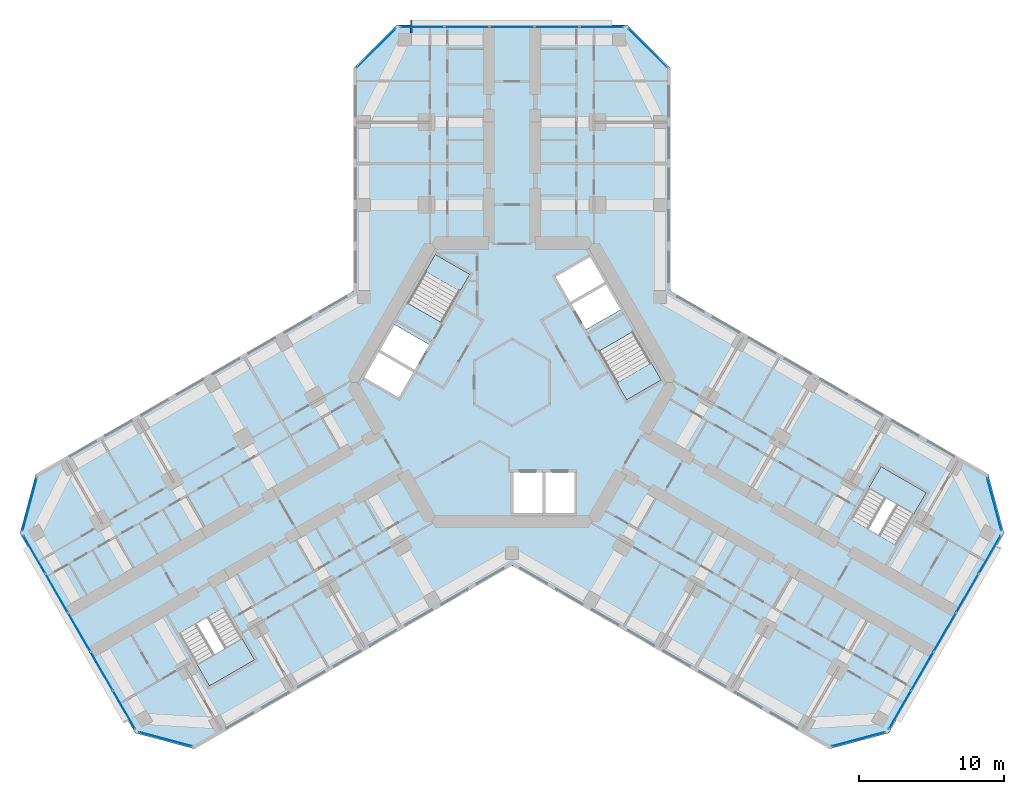
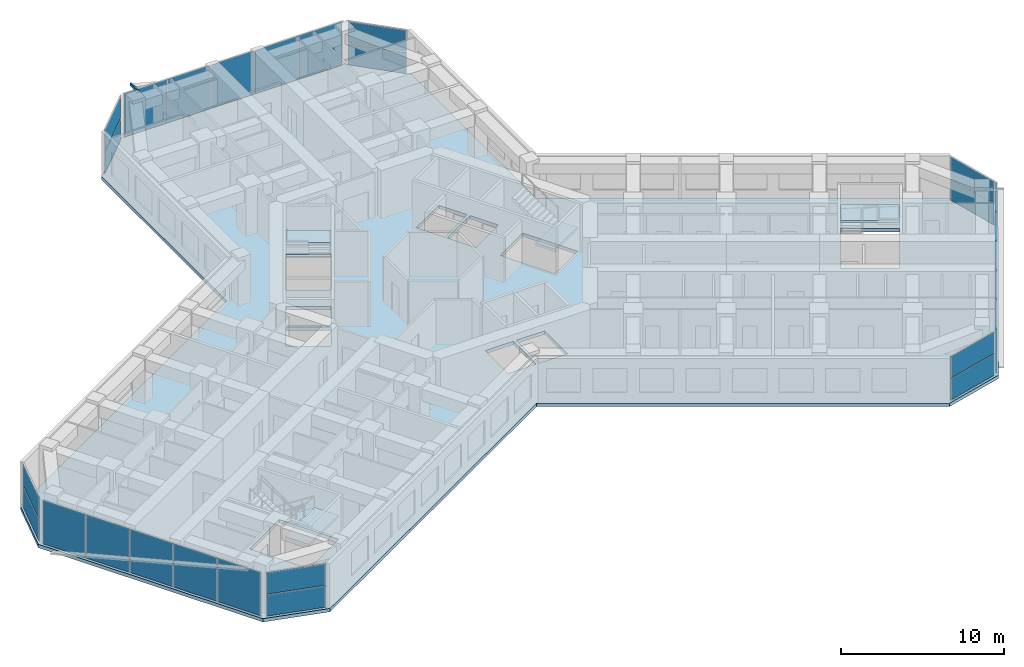
# One storey, part 9 of 19: 27 plates, 5 slabs, 1 member, 13 elements without a shape of their own.
"""IFC4 building model written with IfcOpenShell, lengths in metres."""

from ifc_helpers import new_model, si_unit, direction, frame, origin, origin_2d, place, context, subcontext, project, spatial, polyline, rectangle, hollow_rectangle, outline, extrude, material, layer, layer_set, material_profile, profile_set, type_object, element, aggregate, save


model = new_model("IFC4")

# Units and contexts
model_context = context("Model", 3, precision=1e-05, world=origin(), true_north=direction((0.0, 1.0)))
body_context = subcontext(model_context, "Body", "Model", "MODEL_VIEW")
ifc_project = project(units=[si_unit("LENGTHUNIT", "METRE"), si_unit("AREAUNIT", "SQUARE_METRE"), si_unit("VOLUMEUNIT", "CUBIC_METRE"), si_unit("PLANEANGLEUNIT", "RADIAN"), si_unit("MASSUNIT", "GRAM", prefix="KILO")], contexts=[model_context])

# Site, building, storey
site_placement = place(None, origin())
site = spatial("IfcSite", under=ifc_project, at=site_placement, CompositionType="ELEMENT")
building_placement = place(site_placement, origin())
building = spatial("IfcBuilding", under=site, at=building_placement, Name="Kosmar Iwan School Tower", CompositionType="ELEMENT")
storey_placement = place(building_placement, frame((0.0, 0.0, 168.800048828125)))
storey = spatial("IfcBuildingStorey", under=building, at=storey_placement, Name="L42", CompositionType="ELEMENT", Elevation=168.800048828125)

# Member
ifc_material_1 = material(Name="Steel S355", Category="steel")
ifc_material_profile = material_profile(ifc_material_1, hollow_rectangle(XDim=0.10009765625, YDim=0.199951171875, WallThickness=0.008056640625, at=origin_2d()), Name="RHS 200x100x8")
ifc_profile_set = profile_set([ifc_material_profile], Name="Steel S355")
member_type = type_object("IfcMemberType", Name="Fin bracket RHS 200x100", PredefinedType="USERDEFINED", material=ifc_profile_set)
member_placement = place(storey_placement, frame((-6.949951171875, 24.10009765625, 3.474853515625), z_axis=(0.0, 1.0, 0.0), x_axis=(-1.0, 0.0, 0.0)))
element("IfcMember", 1, at=member_placement, inside=storey, type_object=member_type, Name="Fin bracket L43", ObjectType="FIN BRACKET", PredefinedType="USERDEFINED", context=body_context, shape_type="SweptSolid", body=[
    extrude(hollow_rectangle(XDim=0.10009765625, YDim=0.199951171875, WallThickness=0.008056640625, at=origin_2d()), origin(), (0.0, 0.0, 1.0), 0.89990234375),
])

# Curtain wall, plates
ifc_material_2 = material(Name="Dark glass in black aluminium frame", Category="aluminium")
curtain_wall_type_1 = type_object("IfcCurtainWallType", Name="Chamfer curtain wall dark glass", PredefinedType="USERDEFINED", material=ifc_material_2)
curtain_wall_1_placement = place(storey_placement, origin())
curtain_wall_1 = element("IfcCurtainWall", 2, at=curtain_wall_1_placement, inside=storey, type_object=curtain_wall_type_1, Name="Curtain wall L42-F02", ObjectType="FACETED CURTAIN WALL", PredefinedType="USERDEFINED")
ifc_material_3 = material(Name="Dark glass", Category="glass")
ifc_layer_1 = layer(ifc_material_3, 0.028076171875)
ifc_layer_set_1 = layer_set([ifc_layer_1], Name="Dark glass panel 28")
plate_type = type_object("IfcPlateType", Name="Dark glass panel 28", PredefinedType="CURTAIN_PANEL", material=ifc_layer_set_1)
plate_1_placement = place(storey_placement, frame((23.908203125, -24.61328125, 0.06005859375), z_axis=(0.0, 0.0, 1.0), x_axis=(0.965925875495, 0.258818861462, 0.0)))
plate_1 = element("IfcPlate", 3, at=plate_1_placement, type_object=plate_type, Name="CW2 panel 1.1", PredefinedType="CURTAIN_PANEL", context=body_context, shape_type="SweptSolid", body=[
    extrude(rectangle(XDim=3.718994140625, YDim=0.028076171875, at=origin_2d()), origin(), (0.0, 0.0, 1.0), 1.5849609375),
])
plate_2_placement = place(storey_placement, frame((23.908203125, -24.61328125, 1.705078125), z_axis=(0.0, 0.0, 1.0), x_axis=(0.965925875495, 0.258818861462, 0.0)))
plate_2 = element("IfcPlate", 4, at=plate_2_placement, type_object=plate_type, Name="CW2 panel 1.2", PredefinedType="CURTAIN_PANEL", context=body_context, shape_type="SweptSolid", body=[
    extrude(rectangle(XDim=3.718994140625, YDim=0.028076171875, at=origin_2d()), origin(), (0.0, 0.0, 1.0), 1.5849609375),
])
aggregate(curtain_wall_1, [plate_1, plate_2])

ifc_material_4 = material(Name="Dark glass in black aluminium frame", Category="aluminium")
curtain_wall_type_2 = type_object("IfcCurtainWallType", Name="Tower curtain wall dark glass", PredefinedType="USERDEFINED", material=ifc_material_4)
curtain_wall_2_placement = place(storey_placement, origin())
curtain_wall_2 = element("IfcCurtainWall", 5, at=curtain_wall_2_placement, inside=storey, type_object=curtain_wall_type_2, Name="Curtain wall L42-F03", ObjectType="UNITISED CURTAIN WALL", PredefinedType="USERDEFINED")
plate_3_placement = place(storey_placement, frame((26.764404296875, -22.592529296875, 0.06005859375), z_axis=(0.0, 0.0, 1.0), x_axis=(0.499999997325, 0.866025405329, 0.0)))
plate_3 = element("IfcPlate", 6, at=plate_3_placement, type_object=plate_type, Name="CW1 panel 1.1", PredefinedType="CURTAIN_PANEL", context=body_context, shape_type="SweptSolid", body=[
    extrude(rectangle(XDim=3.00927734375, YDim=0.028076171875, at=origin_2d()), origin(), (0.0, 0.0, 1.0), 3.22998046875),
])
plate_4_placement = place(storey_placement, frame((28.306640625, -19.921630859375, 0.06005859375), z_axis=(0.0, 0.0, 1.0), x_axis=(0.499999997325, 0.866025405329, 0.0)))
plate_4 = element("IfcPlate", 7, at=plate_4_placement, type_object=plate_type, Name="CW1 panel 2.1", PredefinedType="CURTAIN_PANEL", context=body_context, shape_type="SweptSolid", body=[
    extrude(rectangle(XDim=3.039306640625, YDim=0.028076171875, at=origin_2d()), origin(), (0.0, 0.0, 1.0), 3.22998046875),
])
plate_5_placement = place(storey_placement, frame((29.856201171875, -17.237548828125, 0.06005859375), z_axis=(0.0, 0.0, 1.0), x_axis=(0.499999997325, 0.866025405329, 0.0)))
plate_5 = element("IfcPlate", 8, at=plate_5_placement, type_object=plate_type, Name="CW1 panel 3.1", PredefinedType="CURTAIN_PANEL", context=body_context, shape_type="SweptSolid", body=[
    extrude(rectangle(XDim=3.039306640625, YDim=0.028076171875, at=origin_2d()), origin(), (0.0, 0.0, 1.0), 3.22998046875),
])
plate_6_placement = place(storey_placement, frame((31.40576171875, -14.553466796875, 0.06005859375), z_axis=(0.0, 0.0, 1.0), x_axis=(0.499999997325, 0.866025405329, 0.0)))
plate_6 = element("IfcPlate", 9, at=plate_6_placement, type_object=plate_type, Name="CW1 panel 4.1", PredefinedType="CURTAIN_PANEL", context=body_context, shape_type="SweptSolid", body=[
    extrude(rectangle(XDim=3.039306640625, YDim=0.028076171875, at=origin_2d()), origin(), (0.0, 0.0, 1.0), 3.22998046875),
])
plate_7_placement = place(storey_placement, frame((32.947998046875, -11.88232421875, 0.06005859375), z_axis=(0.0, 0.0, 1.0), x_axis=(0.499999997325, 0.866025405329, 0.0)))
plate_7 = element("IfcPlate", 10, at=plate_7_placement, type_object=plate_type, Name="CW1 panel 5.1", PredefinedType="CURTAIN_PANEL", context=body_context, shape_type="SweptSolid", body=[
    extrude(rectangle(XDim=3.00927734375, YDim=0.028076171875, at=origin_2d()), origin(), (0.0, 0.0, 1.0), 3.22998046875),
])
aggregate(curtain_wall_2, [plate_3, plate_4, plate_5, plate_6, plate_7])

curtain_wall_3_placement = place(storey_placement, origin())
curtain_wall_3 = element("IfcCurtainWall", 11, at=curtain_wall_3_placement, inside=storey, type_object=curtain_wall_type_1, Name="Curtain wall L42-F04", ObjectType="FACETED CURTAIN WALL", PredefinedType="USERDEFINED")
plate_8_placement = place(storey_placement, frame((33.269775390625, -8.3984375, 0.06005859375), z_axis=(0.0, 0.0, 1.0), x_axis=(-0.258818861462, 0.965925875495, 0.0)))
plate_8 = element("IfcPlate", 12, at=plate_8_placement, type_object=plate_type, Name="CW2 panel 1.1", PredefinedType="CURTAIN_PANEL", context=body_context, shape_type="SweptSolid", body=[
    extrude(rectangle(XDim=3.718994140625, YDim=0.028076171875, at=origin_2d()), origin(), (0.0, 0.0, 1.0), 1.5849609375),
])
plate_9_placement = place(storey_placement, frame((33.269775390625, -8.3984375, 1.705078125), z_axis=(0.0, 0.0, 1.0), x_axis=(-0.258818861462, 0.965925875495, 0.0)))
plate_9 = element("IfcPlate", 13, at=plate_9_placement, type_object=plate_type, Name="CW2 panel 1.2", PredefinedType="CURTAIN_PANEL", context=body_context, shape_type="SweptSolid", body=[
    extrude(rectangle(XDim=3.718994140625, YDim=0.028076171875, at=origin_2d()), origin(), (0.0, 0.0, 1.0), 1.5849609375),
])
aggregate(curtain_wall_3, [plate_8, plate_9])

curtain_wall_4_placement = place(storey_placement, origin())
curtain_wall_4 = element("IfcCurtainWall", 14, at=curtain_wall_4_placement, inside=storey, type_object=curtain_wall_type_1, Name="Curtain wall L42-F07", ObjectType="FACETED CURTAIN WALL", PredefinedType="USERDEFINED")
plate_10_placement = place(storey_placement, frame((9.361572265625, 23.0615234375, 0.06005859375), z_axis=(0.0, 0.0, 1.0), x_axis=(-0.707106781187, 0.707106781187, 0.0)))
plate_10 = element("IfcPlate", 15, at=plate_10_placement, type_object=plate_type, Name="CW2 panel 1.1", PredefinedType="CURTAIN_PANEL", context=body_context, shape_type="SweptSolid", body=[
    extrude(rectangle(XDim=3.718994140625, YDim=0.028076171875, at=origin_2d()), origin(), (0.0, 0.0, 1.0), 1.5849609375),
])
plate_11_placement = place(storey_placement, frame((9.361572265625, 23.0615234375, 1.705078125), z_axis=(0.0, 0.0, 1.0), x_axis=(-0.707106781187, 0.707106781187, 0.0)))
plate_11 = element("IfcPlate", 16, at=plate_11_placement, type_object=plate_type, Name="CW2 panel 1.2", PredefinedType="CURTAIN_PANEL", context=body_context, shape_type="SweptSolid", body=[
    extrude(rectangle(XDim=3.718994140625, YDim=0.028076171875, at=origin_2d()), origin(), (0.0, 0.0, 1.0), 1.5849609375),
])
aggregate(curtain_wall_4, [plate_10, plate_11])

curtain_wall_5_placement = place(storey_placement, origin())
curtain_wall_5 = element("IfcCurtainWall", 17, at=curtain_wall_5_placement, inside=storey, type_object=curtain_wall_type_2, Name="Curtain wall L42-F08", ObjectType="UNITISED CURTAIN WALL", PredefinedType="USERDEFINED")
plate_12_placement = place(storey_placement, frame((6.18359375, 24.52490234375, 0.06005859375), z_axis=(0.0, 0.0, 1.0), x_axis=(-1.0, 0.0, 0.0)))
plate_12 = element("IfcPlate", 18, at=plate_12_placement, type_object=plate_type, Name="CW1 panel 1.1", PredefinedType="CURTAIN_PANEL", context=body_context, shape_type="SweptSolid", body=[
    extrude(rectangle(XDim=3.00927734375, YDim=0.028076171875, at=origin_2d()), origin(), (0.0, 0.0, 1.0), 3.22998046875),
])
plate_13_placement = place(storey_placement, frame((3.099365234375, 24.52490234375, 0.06005859375), z_axis=(0.0, 0.0, 1.0), x_axis=(-1.0, 0.0, 0.0)))
plate_13 = element("IfcPlate", 19, at=plate_13_placement, type_object=plate_type, Name="CW1 panel 2.1", PredefinedType="CURTAIN_PANEL", context=body_context, shape_type="SweptSolid", body=[
    extrude(rectangle(XDim=3.039306640625, YDim=0.028076171875, at=origin_2d()), origin(), (0.0, 0.0, 1.0), 3.22998046875),
])
plate_14_placement = place(storey_placement, frame((0.0, 24.52490234375, 0.06005859375), z_axis=(0.0, 0.0, 1.0), x_axis=(-1.0, 0.0, 0.0)))
plate_14 = element("IfcPlate", 20, at=plate_14_placement, type_object=plate_type, Name="CW1 panel 3.1", PredefinedType="CURTAIN_PANEL", context=body_context, shape_type="SweptSolid", body=[
    extrude(rectangle(XDim=3.039306640625, YDim=0.028076171875, at=origin_2d()), origin(), (0.0, 0.0, 1.0), 3.22998046875),
])
plate_15_placement = place(storey_placement, frame((-3.099365234375, 24.52490234375, 0.06005859375), z_axis=(0.0, 0.0, 1.0), x_axis=(-1.0, 0.0, 0.0)))
plate_15 = element("IfcPlate", 21, at=plate_15_placement, type_object=plate_type, Name="CW1 panel 4.1", PredefinedType="CURTAIN_PANEL", context=body_context, shape_type="SweptSolid", body=[
    extrude(rectangle(XDim=3.039306640625, YDim=0.028076171875, at=origin_2d()), origin(), (0.0, 0.0, 1.0), 3.22998046875),
])
plate_16_placement = place(storey_placement, frame((-6.18359375, 24.52490234375, 0.06005859375), z_axis=(0.0, 0.0, 1.0), x_axis=(-1.0, 0.0, 0.0)))
plate_16 = element("IfcPlate", 22, at=plate_16_placement, type_object=plate_type, Name="CW1 panel 5.1", PredefinedType="CURTAIN_PANEL", context=body_context, shape_type="SweptSolid", body=[
    extrude(rectangle(XDim=3.00927734375, YDim=0.028076171875, at=origin_2d()), origin(), (0.0, 0.0, 1.0), 3.22998046875),
])
aggregate(curtain_wall_5, [plate_12, plate_13, plate_14, plate_15, plate_16])

curtain_wall_6_placement = place(storey_placement, origin())
curtain_wall_6 = element("IfcCurtainWall", 23, at=curtain_wall_6_placement, inside=storey, type_object=curtain_wall_type_1, Name="Curtain wall L42-F09", ObjectType="FACETED CURTAIN WALL", PredefinedType="USERDEFINED")
plate_17_placement = place(storey_placement, frame((-9.361572265625, 23.0615234375, 0.06005859375), z_axis=(0.0, 0.0, 1.0), x_axis=(-0.707106781187, -0.707106781187, 0.0)))
plate_17 = element("IfcPlate", 24, at=plate_17_placement, type_object=plate_type, Name="CW2 panel 1.1", PredefinedType="CURTAIN_PANEL", context=body_context, shape_type="SweptSolid", body=[
    extrude(rectangle(XDim=3.718994140625, YDim=0.028076171875, at=origin_2d()), origin(), (0.0, 0.0, 1.0), 1.5849609375),
])
plate_18_placement = place(storey_placement, frame((-9.361572265625, 23.0615234375, 1.705078125), z_axis=(0.0, 0.0, 1.0), x_axis=(-0.707106781187, -0.707106781187, 0.0)))
plate_18 = element("IfcPlate", 25, at=plate_18_placement, type_object=plate_type, Name="CW2 panel 1.2", PredefinedType="CURTAIN_PANEL", context=body_context, shape_type="SweptSolid", body=[
    extrude(rectangle(XDim=3.718994140625, YDim=0.028076171875, at=origin_2d()), origin(), (0.0, 0.0, 1.0), 1.5849609375),
])
aggregate(curtain_wall_6, [plate_17, plate_18])

curtain_wall_7_placement = place(storey_placement, origin())
curtain_wall_7 = element("IfcCurtainWall", 26, at=curtain_wall_7_placement, inside=storey, type_object=curtain_wall_type_1, Name="Curtain wall L42-F12", ObjectType="FACETED CURTAIN WALL", PredefinedType="USERDEFINED")
plate_19_placement = place(storey_placement, frame((-33.269775390625, -8.3984375, 0.06005859375), z_axis=(0.0, 0.0, 1.0), x_axis=(-0.258818861462, -0.965925875495, 0.0)))
plate_19 = element("IfcPlate", 27, at=plate_19_placement, type_object=plate_type, Name="CW2 panel 1.1", PredefinedType="CURTAIN_PANEL", context=body_context, shape_type="SweptSolid", body=[
    extrude(rectangle(XDim=3.718994140625, YDim=0.028076171875, at=origin_2d()), origin(), (0.0, 0.0, 1.0), 1.5849609375),
])
plate_20_placement = place(storey_placement, frame((-33.269775390625, -8.3984375, 1.705078125), z_axis=(0.0, 0.0, 1.0), x_axis=(-0.258818861462, -0.965925875495, 0.0)))
plate_20 = element("IfcPlate", 28, at=plate_20_placement, type_object=plate_type, Name="CW2 panel 1.2", PredefinedType="CURTAIN_PANEL", context=body_context, shape_type="SweptSolid", body=[
    extrude(rectangle(XDim=3.718994140625, YDim=0.028076171875, at=origin_2d()), origin(), (0.0, 0.0, 1.0), 1.5849609375),
])
aggregate(curtain_wall_7, [plate_19, plate_20])

curtain_wall_8_placement = place(storey_placement, origin())
curtain_wall_8 = element("IfcCurtainWall", 29, at=curtain_wall_8_placement, inside=storey, type_object=curtain_wall_type_2, Name="Curtain wall L42-F13", ObjectType="UNITISED CURTAIN WALL", PredefinedType="USERDEFINED")
plate_21_placement = place(storey_placement, frame((-32.947998046875, -11.88232421875, 0.06005859375), z_axis=(0.0, 0.0, 1.0), x_axis=(0.499999997325, -0.866025405329, 0.0)))
plate_21 = element("IfcPlate", 30, at=plate_21_placement, type_object=plate_type, Name="CW1 panel 1.1", PredefinedType="CURTAIN_PANEL", context=body_context, shape_type="SweptSolid", body=[
    extrude(rectangle(XDim=3.00927734375, YDim=0.028076171875, at=origin_2d()), origin(), (0.0, 0.0, 1.0), 3.22998046875),
])
plate_22_placement = place(storey_placement, frame((-31.40576171875, -14.553466796875, 0.06005859375), z_axis=(0.0, 0.0, 1.0), x_axis=(0.499999997325, -0.866025405329, 0.0)))
plate_22 = element("IfcPlate", 31, at=plate_22_placement, type_object=plate_type, Name="CW1 panel 2.1", PredefinedType="CURTAIN_PANEL", context=body_context, shape_type="SweptSolid", body=[
    extrude(rectangle(XDim=3.039306640625, YDim=0.028076171875, at=origin_2d()), origin(), (0.0, 0.0, 1.0), 3.22998046875),
])
plate_23_placement = place(storey_placement, frame((-29.856201171875, -17.237548828125, 0.06005859375), z_axis=(0.0, 0.0, 1.0), x_axis=(0.499999997325, -0.866025405329, 0.0)))
plate_23 = element("IfcPlate", 32, at=plate_23_placement, type_object=plate_type, Name="CW1 panel 3.1", PredefinedType="CURTAIN_PANEL", context=body_context, shape_type="SweptSolid", body=[
    extrude(rectangle(XDim=3.039306640625, YDim=0.028076171875, at=origin_2d()), origin(), (0.0, 0.0, 1.0), 3.22998046875),
])
plate_24_placement = place(storey_placement, frame((-28.306640625, -19.921630859375, 0.06005859375), z_axis=(0.0, 0.0, 1.0), x_axis=(0.499999997325, -0.866025405329, 0.0)))
plate_24 = element("IfcPlate", 33, at=plate_24_placement, type_object=plate_type, Name="CW1 panel 4.1", PredefinedType="CURTAIN_PANEL", context=body_context, shape_type="SweptSolid", body=[
    extrude(rectangle(XDim=3.039306640625, YDim=0.028076171875, at=origin_2d()), origin(), (0.0, 0.0, 1.0), 3.22998046875),
])
plate_25_placement = place(storey_placement, frame((-26.764404296875, -22.592529296875, 0.06005859375), z_axis=(0.0, 0.0, 1.0), x_axis=(0.499999997325, -0.866025405329, 0.0)))
plate_25 = element("IfcPlate", 34, at=plate_25_placement, type_object=plate_type, Name="CW1 panel 5.1", PredefinedType="CURTAIN_PANEL", context=body_context, shape_type="SweptSolid", body=[
    extrude(rectangle(XDim=3.00927734375, YDim=0.028076171875, at=origin_2d()), origin(), (0.0, 0.0, 1.0), 3.22998046875),
])
aggregate(curtain_wall_8, [plate_21, plate_22, plate_23, plate_24, plate_25])

curtain_wall_9_placement = place(storey_placement, origin())
curtain_wall_9 = element("IfcCurtainWall", 35, at=curtain_wall_9_placement, inside=storey, type_object=curtain_wall_type_1, Name="Curtain wall L42-F14", ObjectType="FACETED CURTAIN WALL", PredefinedType="USERDEFINED")
plate_26_placement = place(storey_placement, frame((-23.908203125, -24.61328125, 0.06005859375), z_axis=(0.0, 0.0, 1.0), x_axis=(0.965925875495, -0.258818861462, 0.0)))
plate_26 = element("IfcPlate", 36, at=plate_26_placement, type_object=plate_type, Name="CW2 panel 1.1", PredefinedType="CURTAIN_PANEL", context=body_context, shape_type="SweptSolid", body=[
    extrude(rectangle(XDim=3.718994140625, YDim=0.028076171875, at=origin_2d()), origin(), (0.0, 0.0, 1.0), 1.5849609375),
])
plate_27_placement = place(storey_placement, frame((-23.908203125, -24.61328125, 1.705078125), z_axis=(0.0, 0.0, 1.0), x_axis=(0.965925875495, -0.258818861462, 0.0)))
plate_27 = element("IfcPlate", 37, at=plate_27_placement, type_object=plate_type, Name="CW2 panel 1.2", PredefinedType="CURTAIN_PANEL", context=body_context, shape_type="SweptSolid", body=[
    extrude(rectangle(XDim=3.718994140625, YDim=0.028076171875, at=origin_2d()), origin(), (0.0, 0.0, 1.0), 1.5849609375),
])
aggregate(curtain_wall_9, [plate_26, plate_27])

# Stair, slab
ifc_material_5 = material(Name="Concrete C35/45", Category="concrete")
stair_type_1 = type_object("IfcStairType", Name="Escape stair 3600", PredefinedType="HALF_TURN_STAIR", material=ifc_material_5)
stair_1_placement = place(storey_placement, origin())
stair_1 = element("IfcStair", 38, at=stair_1_placement, inside=storey, type_object=stair_type_1, Name="Stair WS2 L42", PredefinedType="HALF_TURN_STAIR")
ifc_material_6 = material(Name="Concrete C35/45", Category="concrete")
ifc_layer_2 = layer(ifc_material_6, 0.199951171875)
ifc_layer_set_2 = layer_set([ifc_layer_2], Name="Escape stair landing 200")
slab_type_1 = type_object("IfcSlabType", Name="Escape stair landing 200", PredefinedType="LANDING", material=ifc_layer_set_2)
slab_1_placement = place(storey_placement, frame((0.0, 0.0, 1.599853515625)))
slab_1 = element("IfcSlab", 39, at=slab_1_placement, type_object=slab_type_1, Name="WS2 landing 1", PredefinedType="LANDING", context=body_context, shape_type="SweptSolid", body=[
    extrude(outline(polyline([(-18.607421875, -17.671142578125), (-21.72509765625, -19.47119140625), (-20.875, -20.943359375), (-17.75732421875, -19.143310546875), (-18.607421875, -17.671142578125)])), origin(), (0.0, 0.0, 1.0), 0.2001953125),
])
aggregate(stair_1, [slab_1])

stair_2_placement = place(storey_placement, origin())
stair_2 = element("IfcStair", 40, at=stair_2_placement, inside=storey, type_object=stair_type_1, Name="Stair WS3 L42", PredefinedType="HALF_TURN_STAIR")
slab_2_placement = place(storey_placement, frame((0.0, 0.0, 1.599853515625)))
slab_2 = element("IfcSlab", 41, at=slab_2_placement, type_object=slab_type_1, Name="WS3 landing 1", PredefinedType="LANDING", context=body_context, shape_type="SweptSolid", body=[
    extrude(outline(polyline([(24.607421875, -7.27880859375), (27.72509765625, -9.078857421875), (28.574951171875, -7.606689453125), (25.457275390625, -5.806640625), (24.607421875, -7.27880859375)])), origin(), (0.0, 0.0, 1.0), 0.2001953125),
])
aggregate(stair_2, [slab_2])

# Slab
ifc_material_7 = material(Name="Concrete C35/45", Category="concrete")
ifc_layer_3 = layer(ifc_material_7, 0.25)
ifc_layer_set_3 = layer_set([ifc_layer_3], Name="Floor slab 250")
slab_type_2 = type_object("IfcSlabType", Name="Floor slab 250", PredefinedType="FLOOR", material=ifc_layer_set_3)
slab_3_placement = place(storey_placement, frame((0.0, 0.0, -0.25)))
element("IfcSlab", 42, at=slab_3_placement, inside=storey, type_object=slab_type_2, Name="L42 floor slab", PredefinedType="FLOOR", context=body_context, shape_type="SweptSolid", body=[
    extrude(outline(polyline([(-21.891357421875, -25.282958984375), (0.0, -12.64404296875), (21.891357421875, -25.282958984375), (25.989501953125, -24.184814453125), (33.939453125, -10.4150390625), (32.84130859375, -6.317138671875), (10.949951171875, 6.322021484375), (10.949951171875, 21.64990234375), (7.949951171875, 24.64990234375), (-7.949951171875, 24.64990234375), (-10.949951171875, 21.64990234375), (-10.949951171875, 6.322021484375), (-32.84130859375, -6.317138671875), (-33.939453125, -10.4150390625), (-25.989501953125, -24.184814453125), (-21.891357421875, -25.282958984375)]), holes=[polyline([(7.91259765625, -1.205078125), (10.294189453125, 0.169921875), (8.3642578125, 3.5126953125), (5.982666015625, 2.1376953125), (7.91259765625, -1.205078125)]), polyline([(-2.91259765625, 7.455078125), (-5.294189453125, 8.830078125), (-7.22412109375, 5.4873046875), (-4.8427734375, 4.1123046875), (-2.91259765625, 7.455078125)]), polyline([(-5.712646484375, 2.60546875), (-8.09423828125, 3.98046875), (-9.09423828125, 2.248291015625), (-6.712646484375, 0.873291015625), (-5.712646484375, 2.60546875)]), polyline([(-6.812744140625, 0.7001953125), (-9.1943359375, 2.0751953125), (-10.1943359375, 0.343017578125), (-7.812744140625, -1.031982421875), (-6.812744140625, 0.7001953125)]), polyline([(5.112548828125, 3.64453125), (7.494140625, 5.01953125), (6.494140625, 6.751708984375), (4.112548828125, 5.376708984375), (5.112548828125, 3.64453125)]), polyline([(4.0126953125, 5.5498046875), (6.394287109375, 6.9248046875), (5.394287109375, 8.656982421875), (3.0126953125, 7.281982421875), (4.0126953125, 5.5498046875)]), polyline([(0.10009765625, -6.199951171875), (0.10009765625, -9.0), (2.10009765625, -9.0), (2.10009765625, -6.199951171875), (0.10009765625, -6.199951171875)]), polyline([(2.300048828125, -6.199951171875), (2.300048828125, -9.0), (4.300048828125, -9.0), (4.300048828125, -6.199951171875), (2.300048828125, -6.199951171875)]), polyline([(-19.847412109375, -15.5234375), (-22.965087890625, -17.323486328125), (-20.875, -20.943359375), (-17.75732421875, -19.143310546875), (-19.847412109375, -15.5234375)]), polyline([(23.367431640625, -9.426513671875), (26.485107421875, -11.2265625), (28.574951171875, -7.606689453125), (25.457275390625, -5.806640625), (23.367431640625, -9.426513671875)])]), origin(), (0.0, 0.0, 1.0), 0.25),
])

# Stair, slab
ifc_material_8 = material(Name="Concrete C35/45", Category="concrete")
stair_type_2 = type_object("IfcStairType", Name="Core stair 2750", PredefinedType="HALF_TURN_STAIR", material=ifc_material_8)
stair_3_placement = place(storey_placement, origin())
stair_3 = element("IfcStair", 43, at=stair_3_placement, inside=storey, type_object=stair_type_2, Name="Stair ST2 L42", PredefinedType="HALF_TURN_STAIR")
ifc_material_9 = material(Name="Concrete C35/45", Category="concrete")
ifc_layer_4 = layer(ifc_material_9, 0.199951171875)
ifc_layer_set_4 = layer_set([ifc_layer_4], Name="Stair landing 200")
slab_type_3 = type_object("IfcSlabType", Name="Stair landing 200", PredefinedType="LANDING", material=ifc_layer_set_4)
slab_4_placement = place(storey_placement, frame((0.0, 0.0, 1.599853515625)))
slab_4 = element("IfcSlab", 44, at=slab_4_placement, type_object=slab_type_3, Name="ST2 landing 1", PredefinedType="LANDING", context=body_context, shape_type="SweptSolid", body=[
    extrude(outline(polyline([(-2.91259765625, 7.455078125), (-5.294189453125, 8.830078125), (-5.97412109375, 7.65234375), (-3.5927734375, 6.27734375), (-2.91259765625, 7.455078125)])), origin(), (0.0, 0.0, 1.0), 0.2001953125),
])
aggregate(stair_3, [slab_4])

stair_4_placement = place(storey_placement, origin())
stair_4 = element("IfcStair", 45, at=stair_4_placement, inside=storey, type_object=stair_type_2, Name="Stair ST1 L42", PredefinedType="HALF_TURN_STAIR")
slab_5_placement = place(storey_placement, frame((0.0, 0.0, 1.599853515625)))
slab_5 = element("IfcSlab", 46, at=slab_5_placement, type_object=slab_type_3, Name="ST1 landing 1", PredefinedType="LANDING", context=body_context, shape_type="SweptSolid", body=[
    extrude(outline(polyline([(7.91259765625, -1.205078125), (10.294189453125, 0.169921875), (9.6142578125, 1.34765625), (7.232666015625, -0.02734375), (7.91259765625, -1.205078125)])), origin(), (0.0, 0.0, 1.0), 0.2001953125),
])
aggregate(stair_4, [slab_5])

save(model, "model.ifc")
